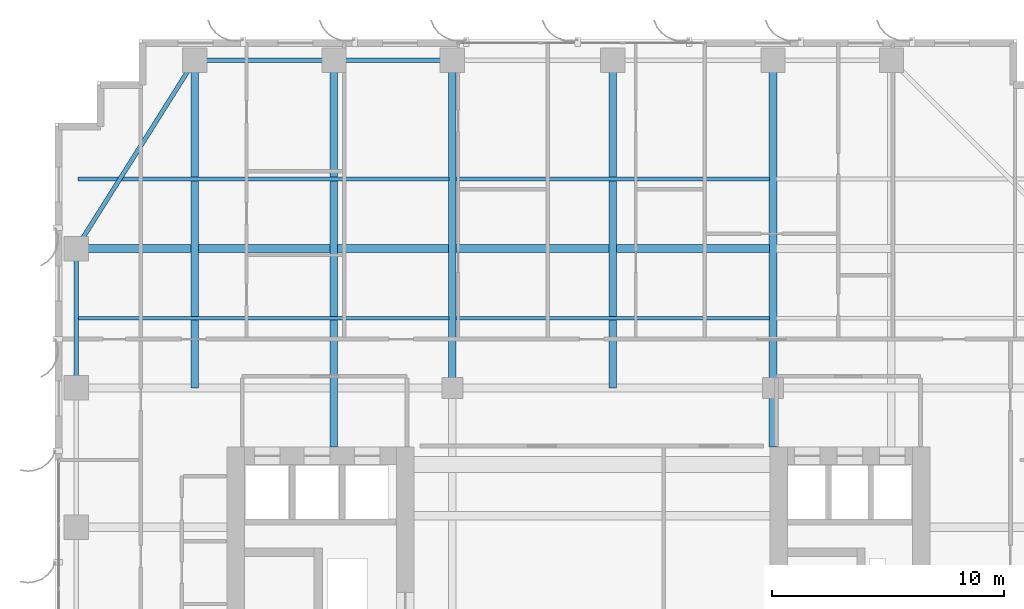
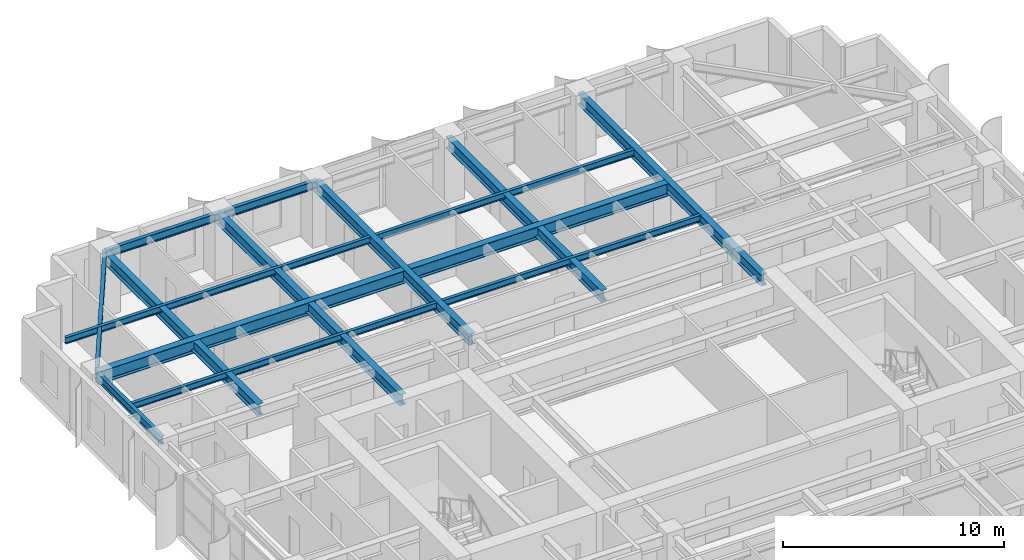
# One storey, part 9 of 19: 15 beams.
"""IFC4 building model written with IfcOpenShell, lengths in metres."""

from ifc_helpers import new_model, si_unit, direction, frame, origin, origin_2d, place, context, subcontext, project, spatial, i_section, extrude, source, transform, mapped, material, material_profile, profile_set, type_object, element, save


model = new_model("IFC4")

# Units and contexts
model_context = context("Model", 3, precision=1e-05, world=origin(), true_north=direction((0.0, 1.0)))
body_context = subcontext(model_context, "Body", "Model", "MODEL_VIEW")
ifc_project = project(units=[si_unit("LENGTHUNIT", "METRE"), si_unit("AREAUNIT", "SQUARE_METRE"), si_unit("VOLUMEUNIT", "CUBIC_METRE"), si_unit("PLANEANGLEUNIT", "RADIAN"), si_unit("MASSUNIT", "GRAM", prefix="KILO")], contexts=[model_context])

# Site, building, storey
site_placement = place(None, origin())
site = spatial("IfcSite", under=ifc_project, at=site_placement, CompositionType="ELEMENT")
building_placement = place(site_placement, origin())
building = spatial("IfcBuilding", under=site, at=building_placement, Name="Khoralis Quay Care Tower", CompositionType="ELEMENT")
storey_placement = place(building_placement, frame((0.0, 0.0, 90.89990234375)))
storey = spatial("IfcBuildingStorey", under=building, at=storey_placement, Name="L23", CompositionType="ELEMENT", Elevation=90.89990234375)

# Beams
ifc_material = material(Name="Steel S355", Category="steel")
ifc_material_profile_1 = material_profile(ifc_material, i_section(OverallWidth=0.18994140625, OverallDepth=0.449951171875, WebThickness=0.009521484375, FlangeThickness=0.0146484375, FilletRadius=0.02099609375, at=origin_2d()), Name="Steel S355")
ifc_profile_set_1 = profile_set([ifc_material_profile_1], Name="Steel S355")
beam_type_1 = type_object("IfcBeamType", Name="BM-IPE450", PredefinedType="SPANDREL", material=ifc_profile_set_1)
shared_shape_1 = source(origin(), body_context, "Body", "SweptSolid", [
    extrude(i_section(OverallWidth=0.18994140625, OverallDepth=0.449951171875, WebThickness=0.009521484375, FlangeThickness=0.0146484375, FilletRadius=0.02099609375, at=origin_2d()), origin(), (0.0, 0.0, 1.0), 6.0),
])
for number, where, z_axis, x_axis, name in (
    (1, (6.0, 44.10009765625, 3.114990234375), (1.0, 0.0, 0.0), (0.0, 1.0, 0.0), "BM-TSP-L23-06"),
    (2, (0.89990234375, 30.0, 3.114990234375), (0.0, 1.0, 0.0), (-1.0, 0.0, 0.0), "BM-TSP-L23-15"),
):
    element("IfcBeam", number, at=place(storey_placement, frame(where, z_axis=z_axis, x_axis=x_axis)), inside=storey, type_object=beam_type_1, Name=name, PredefinedType="SPANDREL", context=body_context, shape_type="MappedRepresentation", body=[
        mapped(shared_shape_1, transform((0.0, 0.0, 0.0), scale=1.0)),
    ])
shared_shape_2 = source(origin(), body_context, "Body", "SweptSolid", [
    extrude(i_section(OverallWidth=0.18994140625, OverallDepth=0.449951171875, WebThickness=0.009521484375, FlangeThickness=0.0146484375, FilletRadius=0.02099609375, at=origin_2d()), origin(), (0.0, 0.0, 1.0), 5.10009765625),
])
beam_1_placement = place(storey_placement, frame((12.0, 44.10009765625, 3.114990234375), z_axis=(1.0, 0.0, 0.0), x_axis=(0.0, 1.0, 0.0)))
element("IfcBeam", 3, at=beam_1_placement, inside=storey, type_object=beam_type_1, Name="BM-TSP-L23-07", PredefinedType="SPANDREL", context=body_context, shape_type="MappedRepresentation", body=[
    mapped(shared_shape_2, transform((0.0, 0.0, 0.0), scale=1.0)),
])
ifc_material_profile_2 = material_profile(ifc_material, i_section(OverallWidth=0.35498046875, OverallDepth=0.695068359375, WebThickness=0.015380859375, FlangeThickness=0.02490234375, FilletRadius=0.02001953125, at=origin_2d()), Name="Steel S355")
ifc_profile_set_2 = profile_set([ifc_material_profile_2], Name="Steel S355")
beam_type_2 = type_object("IfcBeamType", Name="BM-W690X217", PredefinedType="BEAM", material=ifc_profile_set_2)
shared_shape_3 = source(origin(), body_context, "Body", "SweptSolid", [
    extrude(i_section(OverallWidth=0.35498046875, OverallDepth=0.695068359375, WebThickness=0.015380859375, FlangeThickness=0.02490234375, FilletRadius=0.02001953125, at=origin_2d()), origin(), (0.0, 0.0, 1.0), 16.049560546875),
])
beam_2_placement = place(storey_placement, frame((0.89990234375, 36.0, 2.99267578125), z_axis=(1.0, 0.0, 0.0), x_axis=(0.0, 1.0, 0.0)))
element("IfcBeam", 4, at=beam_2_placement, inside=storey, type_object=beam_type_2, Name="BM-TGXW-L23-360", PredefinedType="BEAM", context=body_context, shape_type="MappedRepresentation", body=[
    mapped(shared_shape_3, transform((0.0, 0.0, 0.0), scale=1.0)),
])
shared_shape_4 = source(origin(), body_context, "Body", "SweptSolid", [
    extrude(i_section(OverallWidth=0.35498046875, OverallDepth=0.695068359375, WebThickness=0.015380859375, FlangeThickness=0.02490234375, FilletRadius=0.02001953125, at=origin_2d()), origin(), (0.0, 0.0, 1.0), 13.4990234375),
])
beam_3_placement = place(storey_placement, frame((17.25048828125, 36.0, 2.99267578125), z_axis=(1.0, 0.0, 0.0), x_axis=(0.0, 1.0, 0.0)))
element("IfcBeam", 5, at=beam_3_placement, inside=storey, type_object=beam_type_2, Name="BM-TGCC-L23-360", PredefinedType="BEAM", context=body_context, shape_type="MappedRepresentation", body=[
    mapped(shared_shape_4, transform((0.0, 0.0, 0.0), scale=1.0)),
])
ifc_material_profile_3 = material_profile(ifc_material, i_section(OverallWidth=0.1708984375, OverallDepth=0.35498046875, WebThickness=0.007080078125, FlangeThickness=0.01171875, FilletRadius=0.012939453125, at=origin_2d()), Name="Steel S355")
ifc_profile_set_3 = profile_set([ifc_material_profile_3], Name="Steel S355")
beam_type_3 = type_object("IfcBeamType", Name="BM-W360X51", PredefinedType="JOIST", material=ifc_profile_set_3)
shared_shape_5 = source(origin(), body_context, "Body", "SweptSolid", [
    extrude(i_section(OverallWidth=0.1708984375, OverallDepth=0.35498046875, WebThickness=0.007080078125, FlangeThickness=0.01171875, FilletRadius=0.012939453125, at=origin_2d()), origin(), (0.0, 0.0, 1.0), 15.968505859375),
])
for number, where, z_axis, x_axis, name in (
    (6, (0.98095703125, 33.0, 3.16259765625), (1.0, 0.0, 0.0), (0.0, 1.0, 0.0), "BM-TJS-L23-28"),
    (7, (0.98095703125, 39.0, 3.16259765625), (1.0, 0.0, 0.0), (0.0, 1.0, 0.0), "BM-TJS-L23-31"),
):
    element("IfcBeam", number, at=place(storey_placement, frame(where, z_axis=z_axis, x_axis=x_axis)), inside=storey, type_object=beam_type_3, Name=name, PredefinedType="JOIST", context=body_context, shape_type="MappedRepresentation", body=[
        mapped(shared_shape_5, transform((0.0, 0.0, 0.0), scale=1.0)),
    ])
shared_shape_6 = source(origin(), body_context, "Body", "SweptSolid", [
    extrude(i_section(OverallWidth=0.1708984375, OverallDepth=0.35498046875, WebThickness=0.007080078125, FlangeThickness=0.01171875, FilletRadius=0.012939453125, at=origin_2d()), origin(), (0.0, 0.0, 1.0), 13.4990234375),
])
for number, where, z_axis, x_axis, name in (
    (8, (17.25048828125, 33.0, 3.16259765625), (1.0, 0.0, 0.0), (0.0, 1.0, 0.0), "BM-TJS-L23-30"),
    (9, (17.25048828125, 39.0, 3.16259765625), (1.0, 0.0, 0.0), (0.0, 1.0, 0.0), "BM-TJS-L23-33"),
):
    element("IfcBeam", number, at=place(storey_placement, frame(where, z_axis=z_axis, x_axis=x_axis)), inside=storey, type_object=beam_type_3, Name=name, PredefinedType="JOIST", context=body_context, shape_type="MappedRepresentation", body=[
        mapped(shared_shape_6, transform((0.0, 0.0, 0.0), scale=1.0)),
    ])
shared_shape_7 = source(origin(), body_context, "Body", "SweptSolid", [
    extrude(i_section(OverallWidth=0.18994140625, OverallDepth=0.449951171875, WebThickness=0.009521484375, FlangeThickness=0.0146484375, FilletRadius=0.02099609375, at=origin_2d()), origin(), (0.0, 0.0, 1.0), 9.572021484375),
])
beam_4_placement = place(storey_placement, frame((6.0, 44.10009765625, 3.114990234375), z_axis=(-0.532815975602, -0.846231136359, 0.0), x_axis=(0.846231136359, -0.532815975602, 0.0)))
element("IfcBeam", 10, at=beam_4_placement, inside=storey, type_object=beam_type_1, Name="BM-TCR-L23-23", PredefinedType="SPANDREL", context=body_context, shape_type="MappedRepresentation", body=[
    mapped(shared_shape_7, transform((0.0, 0.0, 0.0), scale=1.0)),
])
ifc_material_profile_4 = material_profile(ifc_material, i_section(OverallWidth=0.324951171875, OverallDepth=0.615966796875, WebThickness=0.013916015625, FlangeThickness=0.021484375, FilletRadius=0.01806640625, at=origin_2d()), Name="Steel S355")
ifc_profile_set_4 = profile_set([ifc_material_profile_4], Name="Steel S355")
beam_type_4 = type_object("IfcBeamType", Name="BM-W610X174", PredefinedType="BEAM", material=ifc_profile_set_4)
shared_shape_8 = source(origin(), body_context, "Body", "SweptSolid", [
    extrude(i_section(OverallWidth=0.324951171875, OverallDepth=0.615966796875, WebThickness=0.013916015625, FlangeThickness=0.021484375, FilletRadius=0.01806640625, at=origin_2d()), origin(), (0.0, 0.0, 1.0), 14.10009765625),
])
for number, where, z_axis, x_axis, name in (
    (11, (6.0, 30.0, 3.031982421875), (0.0, 1.0, 0.0), (-1.0, 0.0, 0.0), "BM-TGYN-L23-60"),
    (12, (17.10009765625, 30.0, 3.031982421875), (0.0, 1.0, 0.0), (-1.0, 0.0, 0.0), "BM-TGYN-L23-171"),
    (13, (24.0, 30.0, 3.031982421875), (0.0, 1.0, 0.0), (-1.0, 0.0, 0.0), "BM-TGYN-L23-240"),
):
    element("IfcBeam", number, at=place(storey_placement, frame(where, z_axis=z_axis, x_axis=x_axis)), inside=storey, type_object=beam_type_4, Name=name, PredefinedType="BEAM", context=body_context, shape_type="MappedRepresentation", body=[
        mapped(shared_shape_8, transform((0.0, 0.0, 0.0), scale=1.0)),
    ])
shared_shape_9 = source(origin(), body_context, "Body", "SweptSolid", [
    extrude(i_section(OverallWidth=0.324951171875, OverallDepth=0.615966796875, WebThickness=0.013916015625, FlangeThickness=0.021484375, FilletRadius=0.01806640625, at=origin_2d()), origin(), (0.0, 0.0, 1.0), 16.652099609375),
])
for number, where, z_axis, x_axis, name in (
    (14, (12.0, 27.447998046875, 3.031982421875), (0.0, 1.0, 0.0), (-1.0, 0.0, 0.0), "BM-TGYN-L23-120"),
    (15, (30.89990234375, 27.447998046875, 3.031982421875), (0.0, 1.0, 0.0), (-1.0, 0.0, 0.0), "BM-TGYN-L23-309"),
):
    element("IfcBeam", number, at=place(storey_placement, frame(where, z_axis=z_axis, x_axis=x_axis)), inside=storey, type_object=beam_type_4, Name=name, PredefinedType="BEAM", context=body_context, shape_type="MappedRepresentation", body=[
        mapped(shared_shape_9, transform((0.0, 0.0, 0.0), scale=1.0)),
    ])

save(model, "model.ifc")
